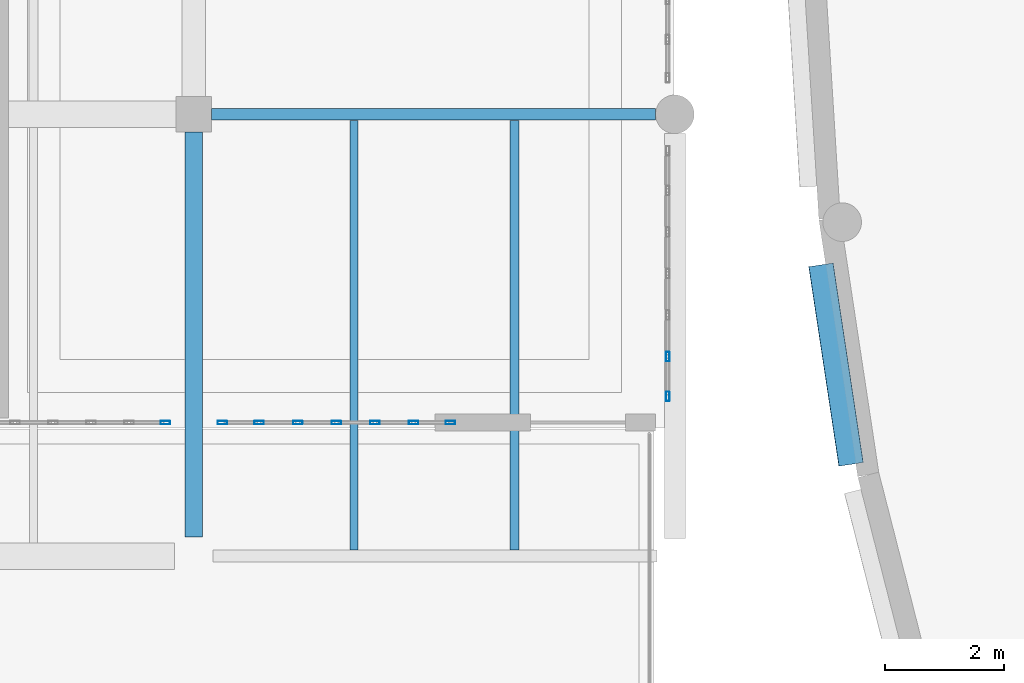
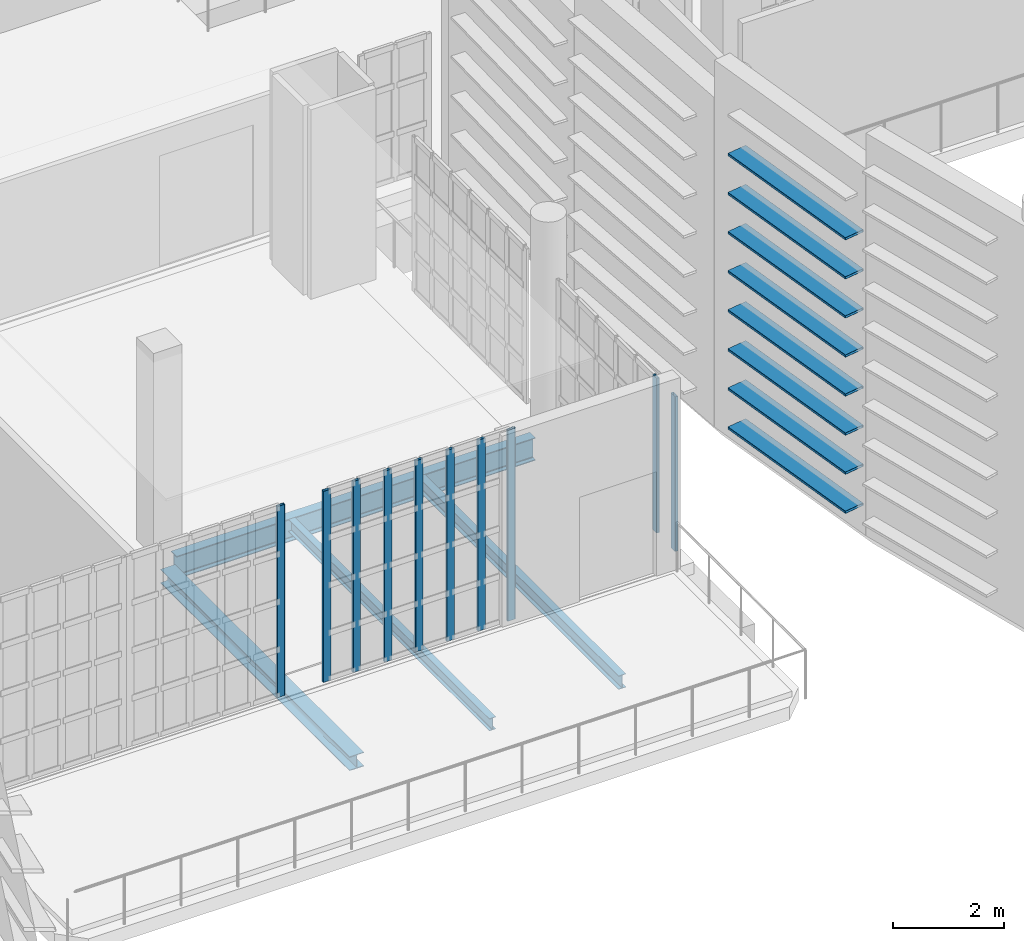
# One storey, part 11 of 73: 18 members, 4 beams, 3 elements without a shape of their own.
"""IFC4 building model written with IfcOpenShell, lengths in metres."""

from ifc_helpers import new_model, si_unit, direction, frame, origin, origin_2d, place, context, subcontext, project, spatial, hollow_rectangle, i_section, extrude, material, material_profile, profile_set, type_object, element, aggregate, save


model = new_model("IFC4")

# Units and contexts
model_context = context("Model", 3, precision=1e-05, world=origin(), true_north=direction((0.0, 1.0)))
body_context = subcontext(model_context, "Body", "Model", "MODEL_VIEW")
ifc_project = project(units=[si_unit("LENGTHUNIT", "METRE"), si_unit("AREAUNIT", "SQUARE_METRE"), si_unit("VOLUMEUNIT", "CUBIC_METRE"), si_unit("PLANEANGLEUNIT", "RADIAN"), si_unit("MASSUNIT", "GRAM", prefix="KILO")], contexts=[model_context])

# Site, building, storey
site_placement = place(None, origin())
site = spatial("IfcSite", under=ifc_project, at=site_placement, CompositionType="ELEMENT")
building_placement = place(site_placement, origin())
building = spatial("IfcBuilding", under=site, at=building_placement, Name="Kaelora Sail Theatre", CompositionType="ELEMENT")
storey_placement = place(building_placement, frame((0.0, 0.0, 10.199951171875)))
storey = spatial("IfcBuildingStorey", under=building, at=storey_placement, Name="L02", CompositionType="ELEMENT", Elevation=10.199951171875)

# Members
ifc_material_1 = material(Name="Anodised aluminium 6063-T6", Category="aluminium")
ifc_material_profile_1 = material_profile(ifc_material_1, hollow_rectangle(XDim=0.419921875, YDim=0.054931640625, WallThickness=0.00390625, InnerFilletRadius=0.00390625, OuterFilletRadius=0.008056640625, at=origin_2d()), Name="LOUVRE 420x55x4")
ifc_profile_set_1 = profile_set([ifc_material_profile_1], Name="Anodised aluminium 6063-T6")
member_type_1 = type_object("IfcMemberType", Name="ARC-MEM-LVR-420", PredefinedType="USERDEFINED", material=ifc_profile_set_1)
for number, where, z_axis, x_axis, name in (
    (1, (77.3671875, 47.68603515625, 0.510009765625), (-0.149296451162, 0.98879248059, 0.0), (-0.98879248059, -0.149296451162, 0.0), "Studio Theatre Sail Drum horizontal solar louvre C18-12"),
    (2, (77.3671875, 47.68603515625, 1.3701171875), (-0.149296451162, 0.98879248059, 0.0), (-0.98879248059, -0.149296451162, 0.0), "Studio Theatre Sail Drum horizontal solar louvre C18-13"),
    (3, (77.3671875, 47.68603515625, 2.22998046875), (-0.149296451162, 0.98879248059, 0.0), (-0.98879248059, -0.149296451162, 0.0), "Studio Theatre Sail Drum horizontal solar louvre C18-14"),
    (4, (77.3671875, 47.68603515625, 3.090087890625), (-0.149296451162, 0.98879248059, 0.0), (-0.98879248059, -0.149296451162, 0.0), "Studio Theatre Sail Drum horizontal solar louvre C18-15"),
    (5, (77.3671875, 47.68603515625, 3.949951171875), (-0.149296451162, 0.98879248059, 0.0), (-0.98879248059, -0.149296451162, 0.0), "Studio Theatre Sail Drum horizontal solar louvre C18-16"),
    (6, (77.3671875, 47.68603515625, 4.81005859375), (-0.149296451162, 0.98879248059, 0.0), (-0.98879248059, -0.149296451162, 0.0), "Studio Theatre Sail Drum horizontal solar louvre C18-17"),
    (7, (77.3671875, 47.68603515625, 5.670166015625), (-0.149296451162, 0.98879248059, 0.0), (-0.98879248059, -0.149296451162, 0.0), "Studio Theatre Sail Drum horizontal solar louvre C18-18"),
    (8, (77.3671875, 47.68603515625, 6.530029296875), (-0.149296451162, 0.98879248059, 0.0), (-0.98879248059, -0.149296451162, 0.0), "Studio Theatre Sail Drum horizontal solar louvre C18-19"),
):
    element("IfcMember", number, at=place(storey_placement, frame(where, z_axis=z_axis, x_axis=x_axis)), inside=storey, type_object=member_type_1, Name=name, ObjectType="LOUVRE", PredefinedType="USERDEFINED", context=body_context, shape_type="SweptSolid", body=[
        extrude(hollow_rectangle(XDim=0.419921875, YDim=0.054931640625, WallThickness=0.00390625, InnerFilletRadius=0.00390625, OuterFilletRadius=0.008056640625, at=origin_2d()), origin(), (0.0, 0.0, 1.0), 3.396484375),
    ])

# Curtain wall, member
ifc_material_2 = material(Name="Anodised aluminium and solar-control low-E IGU", Category="aluminium")
curtain_wall_type = type_object("IfcCurtainWallType", Name="ARC-CW-CW-BRG", PredefinedType="NOTDEFINED", material=ifc_material_2)
curtain_wall_1_placement = place(storey_placement, origin())
curtain_wall_1 = element("IfcCurtainWall", 9, at=curtain_wall_1_placement, inside=storey, type_object=curtain_wall_type, Name="West Interstitial Sail Foyer Curtain Wall L02-02", PredefinedType="NOTDEFINED")
ifc_material_3 = material(Name="Anodised aluminium 6063-T6", Category="aluminium")
ifc_material_profile_2 = material_profile(ifc_material_3, hollow_rectangle(XDim=0.06005859375, YDim=0.159912109375, WallThickness=0.00390625, InnerFilletRadius=0.00390625, OuterFilletRadius=0.008056640625, at=origin_2d()), Name="ALU-MULL 60x160x4")
ifc_profile_set_2 = profile_set([ifc_material_profile_2], Name="Anodised aluminium 6063-T6")
member_type_2 = type_object("IfcMemberType", Name="ARC-MEM-ML-160", PredefinedType="MULLION", material=ifc_profile_set_2)
member_1_placement = place(storey_placement, frame((65.820068359375, 48.389892578125, 0.0), z_axis=(0.0, 0.0, 1.0), x_axis=(0.0, 1.0, 0.0)))
member_1 = element("IfcMember", 10, at=member_1_placement, type_object=member_type_2, Name="CW-BRG mullion 6", PredefinedType="MULLION", context=body_context, shape_type="SweptSolid", body=[
    extrude(hollow_rectangle(XDim=0.06005859375, YDim=0.159912109375, WallThickness=0.00390625, InnerFilletRadius=0.00390625, OuterFilletRadius=0.008056640625, at=origin_2d()), origin(), (0.0, 0.0, 1.0), 4.205078125),
])
aggregate(curtain_wall_1, [member_1])

# Curtain wall, members
curtain_wall_2_placement = place(storey_placement, origin())
curtain_wall_2 = element("IfcCurtainWall", 11, at=curtain_wall_2_placement, inside=storey, type_object=curtain_wall_type, Name="West Interstitial Sail Foyer Curtain Wall L02-03", PredefinedType="NOTDEFINED")
member_2_placement = place(storey_placement, frame((66.780029296875, 48.389892578125, 0.0), z_axis=(0.0, 0.0, 1.0), x_axis=(0.0, 1.0, 0.0)))
member_2 = element("IfcMember", 12, at=member_2_placement, type_object=member_type_2, Name="CW-BRG mullion 1", PredefinedType="MULLION", context=body_context, shape_type="SweptSolid", body=[
    extrude(hollow_rectangle(XDim=0.06005859375, YDim=0.159912109375, WallThickness=0.00390625, InnerFilletRadius=0.00390625, OuterFilletRadius=0.008056640625, at=origin_2d()), origin(), (0.0, 0.0, 1.0), 4.205078125),
])
member_3_placement = place(storey_placement, frame((67.39990234375, 48.389892578125, 0.0), z_axis=(0.0, 0.0, 1.0), x_axis=(0.0, 1.0, 0.0)))
member_3 = element("IfcMember", 13, at=member_3_placement, type_object=member_type_2, Name="CW-BRG mullion 2", PredefinedType="MULLION", context=body_context, shape_type="SweptSolid", body=[
    extrude(hollow_rectangle(XDim=0.06005859375, YDim=0.159912109375, WallThickness=0.00390625, InnerFilletRadius=0.00390625, OuterFilletRadius=0.008056640625, at=origin_2d()), origin(), (0.0, 0.0, 1.0), 4.205078125),
])
member_4_placement = place(storey_placement, frame((68.050048828125, 48.389892578125, 0.0), z_axis=(0.0, 0.0, 1.0), x_axis=(0.0, 1.0, 0.0)))
member_4 = element("IfcMember", 14, at=member_4_placement, type_object=member_type_2, Name="CW-BRG mullion 3", PredefinedType="MULLION", context=body_context, shape_type="SweptSolid", body=[
    extrude(hollow_rectangle(XDim=0.06005859375, YDim=0.159912109375, WallThickness=0.00390625, InnerFilletRadius=0.00390625, OuterFilletRadius=0.008056640625, at=origin_2d()), origin(), (0.0, 0.0, 1.0), 4.205078125),
])
member_5_placement = place(storey_placement, frame((68.699951171875, 48.389892578125, 0.0), z_axis=(0.0, 0.0, 1.0), x_axis=(0.0, 1.0, 0.0)))
member_5 = element("IfcMember", 15, at=member_5_placement, type_object=member_type_2, Name="CW-BRG mullion 4", PredefinedType="MULLION", context=body_context, shape_type="SweptSolid", body=[
    extrude(hollow_rectangle(XDim=0.06005859375, YDim=0.159912109375, WallThickness=0.00390625, InnerFilletRadius=0.00390625, OuterFilletRadius=0.008056640625, at=origin_2d()), origin(), (0.0, 0.0, 1.0), 4.205078125),
])
member_6_placement = place(storey_placement, frame((69.35009765625, 48.389892578125, 0.0), z_axis=(0.0, 0.0, 1.0), x_axis=(0.0, 1.0, 0.0)))
member_6 = element("IfcMember", 16, at=member_6_placement, type_object=member_type_2, Name="CW-BRG mullion 5", PredefinedType="MULLION", context=body_context, shape_type="SweptSolid", body=[
    extrude(hollow_rectangle(XDim=0.06005859375, YDim=0.159912109375, WallThickness=0.00390625, InnerFilletRadius=0.00390625, OuterFilletRadius=0.008056640625, at=origin_2d()), origin(), (0.0, 0.0, 1.0), 4.205078125),
])
member_7_placement = place(storey_placement, frame((70.0, 48.389892578125, 0.0), z_axis=(0.0, 0.0, 1.0), x_axis=(0.0, 1.0, 0.0)))
member_7 = element("IfcMember", 17, at=member_7_placement, type_object=member_type_2, Name="CW-BRG mullion 6", PredefinedType="MULLION", context=body_context, shape_type="SweptSolid", body=[
    extrude(hollow_rectangle(XDim=0.06005859375, YDim=0.159912109375, WallThickness=0.00390625, InnerFilletRadius=0.00390625, OuterFilletRadius=0.008056640625, at=origin_2d()), origin(), (0.0, 0.0, 1.0), 4.205078125),
])
member_8_placement = place(storey_placement, frame((70.6201171875, 48.389892578125, 0.0), z_axis=(0.0, 0.0, 1.0), x_axis=(0.0, 1.0, 0.0)))
member_8 = element("IfcMember", 18, at=member_8_placement, type_object=member_type_2, Name="CW-BRG mullion 7", PredefinedType="MULLION", context=body_context, shape_type="SweptSolid", body=[
    extrude(hollow_rectangle(XDim=0.06005859375, YDim=0.159912109375, WallThickness=0.00390625, InnerFilletRadius=0.00390625, OuterFilletRadius=0.008056640625, at=origin_2d()), origin(), (0.0, 0.0, 1.0), 4.205078125),
])
aggregate(curtain_wall_2, [member_2, member_3, member_4, member_5, member_6, member_7, member_8])

curtain_wall_3_placement = place(storey_placement, origin())
curtain_wall_3 = element("IfcCurtainWall", 19, at=curtain_wall_3_placement, inside=storey, type_object=curtain_wall_type, Name="West Interstitial Foyer East Glazed Return L02-01", PredefinedType="NOTDEFINED")
member_9_placement = place(storey_placement, frame((74.280029296875, 48.830078125, 0.0), z_axis=(0.0, 0.0, 1.0), x_axis=(-1.0, 0.0, 0.0)))
member_9 = element("IfcMember", 20, at=member_9_placement, type_object=member_type_2, Name="CW-BRG mullion 1", PredefinedType="MULLION", context=body_context, shape_type="SweptSolid", body=[
    extrude(hollow_rectangle(XDim=0.06005859375, YDim=0.159912109375, WallThickness=0.00390625, InnerFilletRadius=0.00390625, OuterFilletRadius=0.008056640625, at=origin_2d()), origin(), (0.0, 0.0, 1.0), 3.406982421875),
])
member_10_placement = place(storey_placement, frame((74.280029296875, 49.499267578125, 0.0), z_axis=(0.0, 0.0, 1.0), x_axis=(-1.0, 0.0, 0.0)))
member_10 = element("IfcMember", 21, at=member_10_placement, type_object=member_type_2, Name="CW-BRG mullion 2", PredefinedType="MULLION", context=body_context, shape_type="SweptSolid", body=[
    extrude(hollow_rectangle(XDim=0.06005859375, YDim=0.159912109375, WallThickness=0.00390625, InnerFilletRadius=0.00390625, OuterFilletRadius=0.008056640625, at=origin_2d()), origin(), (0.0, 0.0, 1.0), 3.406982421875),
])
aggregate(curtain_wall_3, [member_9, member_10])

# Beams
ifc_material_4 = material(Name="Steel S355", Category="steel")
ifc_material_profile_3 = material_profile(ifc_material_4, i_section(OverallWidth=0.300048828125, OverallDepth=0.31005859375, WebThickness=0.009033203125, FlangeThickness=0.015380859375, FilletRadius=0.027099609375, at=origin_2d()), Name="HEA 320")
ifc_profile_set_3 = profile_set([ifc_material_profile_3], Name="Steel S355")
beam_type_1 = type_object("IfcBeamType", Name="STR-BM-BM-HEA320", PredefinedType="BEAM", material=ifc_profile_set_3)
beam_1_placement = place(storey_placement, frame((66.300048828125, 46.465087890625, -0.449951171875), z_axis=(0.0, 1.0, 0.0), x_axis=(-1.0, 0.0, 0.0)))
element("IfcBeam", 22, at=beam_1_placement, inside=storey, type_object=beam_type_1, Name="Primary beam 9 G-H (L02)", PredefinedType="BEAM", context=body_context, shape_type="SweptSolid", body=[
    extrude(i_section(OverallWidth=0.300048828125, OverallDepth=0.31005859375, WebThickness=0.009033203125, FlangeThickness=0.015380859375, FilletRadius=0.027099609375, at=origin_2d()), origin(), (0.0, 0.0, 1.0), 6.81494140625),
])
ifc_material_5 = material(Name="Steel S355", Category="steel")
ifc_material_profile_4 = material_profile(ifc_material_5, i_section(OverallWidth=0.199951171875, OverallDepth=0.5, WebThickness=0.01025390625, FlangeThickness=0.01611328125, FilletRadius=0.02099609375, at=origin_2d()), Name="IPE 500")
ifc_profile_set_4 = profile_set([ifc_material_profile_4], Name="Steel S355")
beam_type_2 = type_object("IfcBeamType", Name="STR-BM-BM-IPE500", PredefinedType="BEAM", material=ifc_profile_set_4)
beam_2_placement = place(storey_placement, frame((66.60009765625, 53.580078125, -0.544921875), z_axis=(1.0, 0.0, 0.0), x_axis=(0.0, 1.0, 0.0)))
element("IfcBeam", 23, at=beam_2_placement, inside=storey, type_object=beam_type_2, Name="Primary beam H 9-10 (L02)", PredefinedType="BEAM", context=body_context, shape_type="SweptSolid", body=[
    extrude(i_section(OverallWidth=0.199951171875, OverallDepth=0.5, WebThickness=0.01025390625, FlangeThickness=0.01611328125, FilletRadius=0.02099609375, at=origin_2d()), origin(), (0.0, 0.0, 1.0), 7.474853515625),
])
ifc_material_6 = material(Name="Steel S355", Category="steel")
ifc_material_profile_5 = material_profile(ifc_material_6, i_section(OverallWidth=0.135009765625, OverallDepth=0.27001953125, WebThickness=0.006591796875, FlangeThickness=0.01025390625, FilletRadius=0.014892578125, at=origin_2d()), Name="IPE 270")
ifc_profile_set_5 = profile_set([ifc_material_profile_5], Name="Steel S355")
beam_type_3 = type_object("IfcBeamType", Name="STR-BM-JS-IPE270", PredefinedType="JOIST", material=ifc_profile_set_5)
beam_3_placement = place(storey_placement, frame((69.0, 46.239990234375, -0.429931640625), z_axis=(0.0, 1.0, 0.0), x_axis=(-1.0, 0.0, 0.0)))
element("IfcBeam", 24, at=beam_3_placement, inside=storey, type_object=beam_type_3, Name="Secondary floor joist 9/G-1 (L02)", PredefinedType="JOIST", context=body_context, shape_type="SweptSolid", body=[
    extrude(i_section(OverallWidth=0.135009765625, OverallDepth=0.27001953125, WebThickness=0.006591796875, FlangeThickness=0.01025390625, FilletRadius=0.014892578125, at=origin_2d()), origin(), (0.0, 0.0, 1.0), 7.239990234375),
])
ifc_material_7 = material(Name="Steel S355", Category="steel")
ifc_material_profile_6 = material_profile(ifc_material_7, i_section(OverallWidth=0.14990234375, OverallDepth=0.300048828125, WebThickness=0.007080078125, FlangeThickness=0.0107421875, FilletRadius=0.014892578125, at=origin_2d()), Name="IPE 300")
ifc_profile_set_6 = profile_set([ifc_material_profile_6], Name="Steel S355")
beam_type_4 = type_object("IfcBeamType", Name="STR-BM-JS-IPE300", PredefinedType="JOIST", material=ifc_profile_set_6)
beam_4_placement = place(storey_placement, frame((71.699951171875, 46.239990234375, -0.445068359375), z_axis=(0.0, 1.0, 0.0), x_axis=(-1.0, 0.0, 0.0)))
element("IfcBeam", 25, at=beam_4_placement, inside=storey, type_object=beam_type_4, Name="Secondary floor joist 9/G-2 (L02)", PredefinedType="JOIST", context=body_context, shape_type="SweptSolid", body=[
    extrude(i_section(OverallWidth=0.14990234375, OverallDepth=0.300048828125, WebThickness=0.007080078125, FlangeThickness=0.0107421875, FilletRadius=0.014892578125, at=origin_2d()), origin(), (0.0, 0.0, 1.0), 7.239990234375),
])

save(model, "model.ifc")
